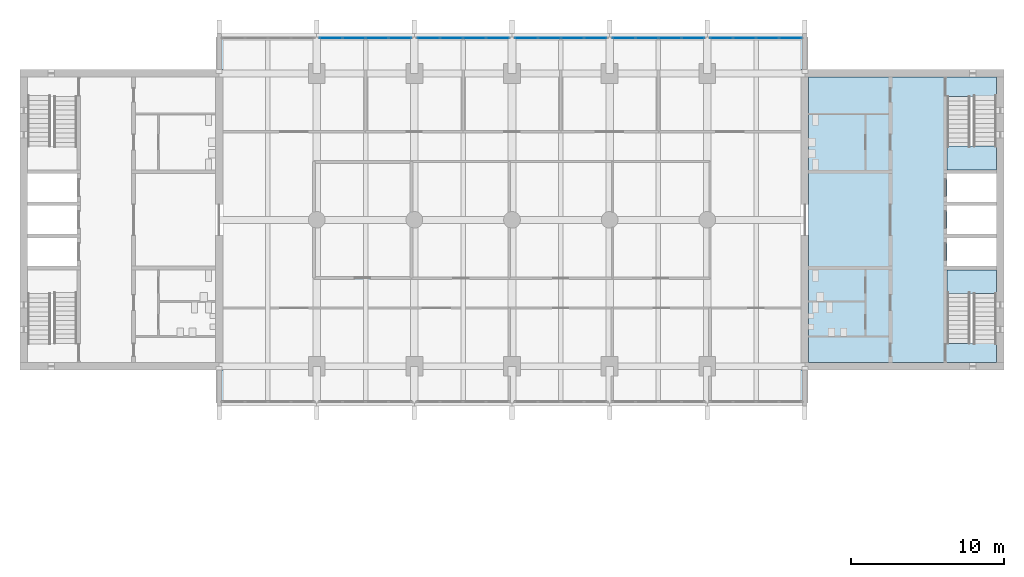
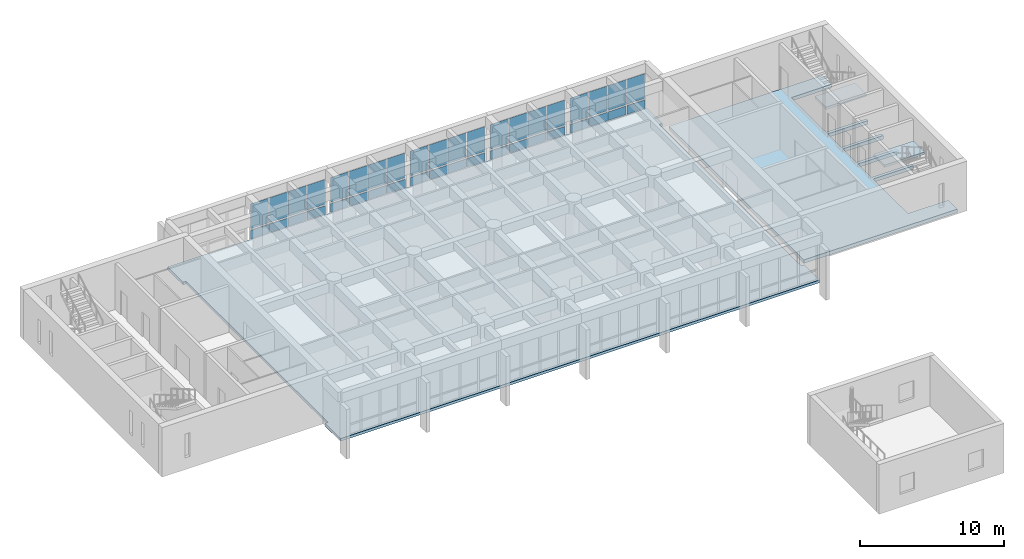
# One storey, part 8 of 18: 40 plates, 4 slabs, 7 elements without a shape of their own.
"""IFC4 building model written with IfcOpenShell, lengths in metres."""

from ifc_helpers import new_model, si_unit, direction, frame, origin, origin_2d, place, context, subcontext, project, spatial, polyline, rectangle, outline, extrude, material, layer, layer_set, type_object, element, aggregate, save


model = new_model("IFC4")

# Units and contexts
model_context = context("Model", 3, precision=1e-05, world=origin(), true_north=direction((0.0, 1.0)))
body_context = subcontext(model_context, "Body", "Model", "MODEL_VIEW")
ifc_project = project(units=[si_unit("LENGTHUNIT", "METRE"), si_unit("AREAUNIT", "SQUARE_METRE"), si_unit("VOLUMEUNIT", "CUBIC_METRE"), si_unit("PLANEANGLEUNIT", "RADIAN"), si_unit("MASSUNIT", "GRAM", prefix="KILO")], contexts=[model_context])

# Site, building, storey
site_placement = place(None, origin())
site = spatial("IfcSite", under=ifc_project, at=site_placement, CompositionType="ELEMENT")
building_placement = place(site_placement, origin())
building = spatial("IfcBuilding", under=site, at=building_placement, Name="Fogon Plaza Fire Station and Headquarters Tower", CompositionType="ELEMENT")
storey_placement = place(building_placement, frame((0.0, 0.0, 12.89990234375)))
storey = spatial("IfcBuildingStorey", under=building, at=storey_placement, Name="L03", CompositionType="ELEMENT", Elevation=12.89990234375)

# Slabs
ifc_material_1 = material(Name="Concrete C40", Category="concrete")
ifc_layer_1 = layer(ifc_material_1, 0.300048828125)
ifc_layer_set_1 = layer_set([ifc_layer_1], Name="Concrete C40")
slab_type_1 = type_object("IfcSlabType", Name="Core Floor Slab RC 300", PredefinedType="FLOOR", material=ifc_layer_set_1)
slab_1_placement = place(storey_placement, frame((0.0, 0.0, -0.2998046875)))
element("IfcSlab", 1, at=slab_1_placement, inside=storey, type_object=slab_type_1, Name="Core B floor", PredefinedType="FLOOR", context=body_context, shape_type="SweptSolid", body=[
    extrude(outline(polyline([(76.550048828125, 35.110107421875), (73.324951171875, 35.110107421875), (73.324951171875, 39.925048828125), (76.550048828125, 39.925048828125), (76.550048828125, 40.175048828125), (73.324951171875, 40.175048828125), (73.324951171875, 42.02490234375), (76.550048828125, 42.02490234375), (76.550048828125, 42.27490234375), (73.324951171875, 42.27490234375), (73.324951171875, 44.125), (76.550048828125, 44.125), (76.550048828125, 44.375), (73.324951171875, 44.375), (73.324951171875, 46.22509765625), (76.550048828125, 46.22509765625), (76.550048828125, 46.47509765625), (73.324951171875, 46.47509765625), (73.324951171875, 51.2900390625), (76.550048828125, 51.2900390625), (76.550048828125, 52.550048828125), (64.25, 52.550048828125), (64.25, 33.85009765625), (76.550048828125, 33.85009765625), (76.550048828125, 35.110107421875)])), origin(), (0.0, 0.0, 1.0), 0.2998046875),
])
ifc_material_2 = material(Name="Concrete C40", Category="concrete")
ifc_layer_2 = layer(ifc_material_2, 0.219970703125)
ifc_layer_set_2 = layer_set([ifc_layer_2], Name="Concrete C40")
slab_type_2 = type_object("IfcSlabType", Name="Floor slab 220 S22", PredefinedType="FLOOR", material=ifc_layer_set_2)
slab_2_placement = place(storey_placement, frame((0.0, 0.0, -0.219970703125)))
element("IfcSlab", 2, at=slab_2_placement, inside=storey, type_object=slab_type_2, Name="slab-L03-bar", PredefinedType="FLOOR", context=body_context, shape_type="SweptSolid", body=[
    extrude(outline(polyline([(64.0, 31.199951171875), (25.60009765625, 31.199951171875), (25.60009765625, 33.35009765625), (25.85009765625, 33.35009765625), (25.85009765625, 53.050048828125), (25.60009765625, 53.050048828125), (25.60009765625, 55.199951171875), (64.0, 55.199951171875), (64.0, 53.050048828125), (63.75, 53.050048828125), (63.75, 33.35009765625), (64.0, 33.35009765625), (64.0, 31.199951171875)])), origin(), (0.0, 0.0, 1.0), 0.219970703125),
])

# Curtain wall, plates
ifc_material_3 = material(Name="Aluminium and glass", Category="aluminium")
ifc_layer_3 = layer(ifc_material_3, 0.14990234375)
ifc_layer_set_3 = layer_set([ifc_layer_3], Name="Aluminium and glass")
curtain_wall_type = type_object("IfcCurtainWallType", Name="Unitised Curtain Wall Run 6100x3180", PredefinedType="NOTDEFINED", material=ifc_layer_set_3)
curtain_wall_1_placement = place(storey_placement, origin())
curtain_wall_1 = element("IfcCurtainWall", 3, at=curtain_wall_1_placement, inside=storey, type_object=curtain_wall_type, Name="CW-6100x3180 N2 L03", PredefinedType="NOTDEFINED")
ifc_material_4 = material(Name="Insulated aluminium spandrel", Category="aluminium")
ifc_layer_4 = layer(ifc_material_4, 0.06005859375)
ifc_layer_set_4 = layer_set([ifc_layer_4], Name="Insulated aluminium spandrel")
plate_type_1 = type_object("IfcPlateType", Name="Insulated Spandrel Panel", PredefinedType="CURTAIN_PANEL", material=ifc_layer_set_4)
plate_1_placement = place(storey_placement, frame((32.93505859375, 55.1201171875, 0.1201171875), z_axis=(0.0, 0.0, 1.0), x_axis=(1.0, 0.0, 0.0)))
plate_1 = element("IfcPlate", 4, at=plate_1_placement, type_object=plate_type_1, Name="SP1 panel 1.1", PredefinedType="CURTAIN_PANEL", context=body_context, shape_type="SweptSolid", body=[
    extrude(rectangle(XDim=1.449951171875, YDim=0.06005859375, at=origin_2d()), origin(), (0.0, 0.0, 1.0), 0.719970703125),
])
plate_2_placement = place(storey_placement, frame((34.445068359375, 55.1201171875, 0.1201171875), z_axis=(0.0, 0.0, 1.0), x_axis=(1.0, 0.0, 0.0)))
plate_2 = element("IfcPlate", 5, at=plate_2_placement, type_object=plate_type_1, Name="SP1 panel 2.1", PredefinedType="CURTAIN_PANEL", context=body_context, shape_type="SweptSolid", body=[
    extrude(rectangle(XDim=1.449951171875, YDim=0.06005859375, at=origin_2d()), origin(), (0.0, 0.0, 1.0), 0.719970703125),
])
plate_3_placement = place(storey_placement, frame((35.955078125, 55.1201171875, 0.1201171875), z_axis=(0.0, 0.0, 1.0), x_axis=(1.0, 0.0, 0.0)))
plate_3 = element("IfcPlate", 6, at=plate_3_placement, type_object=plate_type_1, Name="SP1 panel 3.1", PredefinedType="CURTAIN_PANEL", context=body_context, shape_type="SweptSolid", body=[
    extrude(rectangle(XDim=1.449951171875, YDim=0.06005859375, at=origin_2d()), origin(), (0.0, 0.0, 1.0), 0.719970703125),
])
plate_4_placement = place(storey_placement, frame((37.465087890625, 55.1201171875, 0.1201171875), z_axis=(0.0, 0.0, 1.0), x_axis=(1.0, 0.0, 0.0)))
plate_4 = element("IfcPlate", 7, at=plate_4_placement, type_object=plate_type_1, Name="SP1 panel 4.1", PredefinedType="CURTAIN_PANEL", context=body_context, shape_type="SweptSolid", body=[
    extrude(rectangle(XDim=1.449951171875, YDim=0.06005859375, at=origin_2d()), origin(), (0.0, 0.0, 1.0), 0.719970703125),
])

curtain_wall_2_placement = place(storey_placement, origin())
curtain_wall_2 = element("IfcCurtainWall", 8, at=curtain_wall_2_placement, inside=storey, type_object=curtain_wall_type, Name="CW-6100x3180 N3 L03", PredefinedType="NOTDEFINED")
plate_5_placement = place(storey_placement, frame((39.3349609375, 55.1201171875, 0.1201171875), z_axis=(0.0, 0.0, 1.0), x_axis=(1.0, 0.0, 0.0)))
plate_5 = element("IfcPlate", 9, at=plate_5_placement, type_object=plate_type_1, Name="SP1 panel 1.1", PredefinedType="CURTAIN_PANEL", context=body_context, shape_type="SweptSolid", body=[
    extrude(rectangle(XDim=1.449951171875, YDim=0.06005859375, at=origin_2d()), origin(), (0.0, 0.0, 1.0), 0.719970703125),
])
plate_6_placement = place(storey_placement, frame((40.844970703125, 55.1201171875, 0.1201171875), z_axis=(0.0, 0.0, 1.0), x_axis=(1.0, 0.0, 0.0)))
plate_6 = element("IfcPlate", 10, at=plate_6_placement, type_object=plate_type_1, Name="SP1 panel 2.1", PredefinedType="CURTAIN_PANEL", context=body_context, shape_type="SweptSolid", body=[
    extrude(rectangle(XDim=1.449951171875, YDim=0.06005859375, at=origin_2d()), origin(), (0.0, 0.0, 1.0), 0.719970703125),
])
plate_7_placement = place(storey_placement, frame((42.35498046875, 55.1201171875, 0.1201171875), z_axis=(0.0, 0.0, 1.0), x_axis=(1.0, 0.0, 0.0)))
plate_7 = element("IfcPlate", 11, at=plate_7_placement, type_object=plate_type_1, Name="SP1 panel 3.1", PredefinedType="CURTAIN_PANEL", context=body_context, shape_type="SweptSolid", body=[
    extrude(rectangle(XDim=1.449951171875, YDim=0.06005859375, at=origin_2d()), origin(), (0.0, 0.0, 1.0), 0.719970703125),
])
plate_8_placement = place(storey_placement, frame((43.864990234375, 55.1201171875, 0.1201171875), z_axis=(0.0, 0.0, 1.0), x_axis=(1.0, 0.0, 0.0)))
plate_8 = element("IfcPlate", 12, at=plate_8_placement, type_object=plate_type_1, Name="SP1 panel 4.1", PredefinedType="CURTAIN_PANEL", context=body_context, shape_type="SweptSolid", body=[
    extrude(rectangle(XDim=1.449951171875, YDim=0.06005859375, at=origin_2d()), origin(), (0.0, 0.0, 1.0), 0.719970703125),
])

curtain_wall_3_placement = place(storey_placement, origin())
curtain_wall_3 = element("IfcCurtainWall", 13, at=curtain_wall_3_placement, inside=storey, type_object=curtain_wall_type, Name="CW-6100x3180 N4 L03", PredefinedType="NOTDEFINED")
plate_9_placement = place(storey_placement, frame((45.735107421875, 55.1201171875, 0.1201171875), z_axis=(0.0, 0.0, 1.0), x_axis=(1.0, 0.0, 0.0)))
plate_9 = element("IfcPlate", 14, at=plate_9_placement, type_object=plate_type_1, Name="SP1 panel 1.1", PredefinedType="CURTAIN_PANEL", context=body_context, shape_type="SweptSolid", body=[
    extrude(rectangle(XDim=1.449951171875, YDim=0.06005859375, at=origin_2d()), origin(), (0.0, 0.0, 1.0), 0.719970703125),
])
plate_10_placement = place(storey_placement, frame((47.2451171875, 55.1201171875, 0.1201171875), z_axis=(0.0, 0.0, 1.0), x_axis=(1.0, 0.0, 0.0)))
plate_10 = element("IfcPlate", 15, at=plate_10_placement, type_object=plate_type_1, Name="SP1 panel 2.1", PredefinedType="CURTAIN_PANEL", context=body_context, shape_type="SweptSolid", body=[
    extrude(rectangle(XDim=1.449951171875, YDim=0.06005859375, at=origin_2d()), origin(), (0.0, 0.0, 1.0), 0.719970703125),
])
plate_11_placement = place(storey_placement, frame((48.7548828125, 55.1201171875, 0.1201171875), z_axis=(0.0, 0.0, 1.0), x_axis=(1.0, 0.0, 0.0)))
plate_11 = element("IfcPlate", 16, at=plate_11_placement, type_object=plate_type_1, Name="SP1 panel 3.1", PredefinedType="CURTAIN_PANEL", context=body_context, shape_type="SweptSolid", body=[
    extrude(rectangle(XDim=1.449951171875, YDim=0.06005859375, at=origin_2d()), origin(), (0.0, 0.0, 1.0), 0.719970703125),
])
plate_12_placement = place(storey_placement, frame((50.264892578125, 55.1201171875, 0.1201171875), z_axis=(0.0, 0.0, 1.0), x_axis=(1.0, 0.0, 0.0)))
plate_12 = element("IfcPlate", 17, at=plate_12_placement, type_object=plate_type_1, Name="SP1 panel 4.1", PredefinedType="CURTAIN_PANEL", context=body_context, shape_type="SweptSolid", body=[
    extrude(rectangle(XDim=1.449951171875, YDim=0.06005859375, at=origin_2d()), origin(), (0.0, 0.0, 1.0), 0.719970703125),
])

curtain_wall_4_placement = place(storey_placement, origin())
curtain_wall_4 = element("IfcCurtainWall", 18, at=curtain_wall_4_placement, inside=storey, type_object=curtain_wall_type, Name="CW-6100x3180 N5 L03", PredefinedType="NOTDEFINED")
plate_13_placement = place(storey_placement, frame((52.135009765625, 55.1201171875, 0.1201171875), z_axis=(0.0, 0.0, 1.0), x_axis=(1.0, 0.0, 0.0)))
plate_13 = element("IfcPlate", 19, at=plate_13_placement, type_object=plate_type_1, Name="SP1 panel 1.1", PredefinedType="CURTAIN_PANEL", context=body_context, shape_type="SweptSolid", body=[
    extrude(rectangle(XDim=1.449951171875, YDim=0.06005859375, at=origin_2d()), origin(), (0.0, 0.0, 1.0), 0.719970703125),
])
plate_14_placement = place(storey_placement, frame((53.64501953125, 55.1201171875, 0.1201171875), z_axis=(0.0, 0.0, 1.0), x_axis=(1.0, 0.0, 0.0)))
plate_14 = element("IfcPlate", 20, at=plate_14_placement, type_object=plate_type_1, Name="SP1 panel 2.1", PredefinedType="CURTAIN_PANEL", context=body_context, shape_type="SweptSolid", body=[
    extrude(rectangle(XDim=1.449951171875, YDim=0.06005859375, at=origin_2d()), origin(), (0.0, 0.0, 1.0), 0.719970703125),
])
plate_15_placement = place(storey_placement, frame((55.155029296875, 55.1201171875, 0.1201171875), z_axis=(0.0, 0.0, 1.0), x_axis=(1.0, 0.0, 0.0)))
plate_15 = element("IfcPlate", 21, at=plate_15_placement, type_object=plate_type_1, Name="SP1 panel 3.1", PredefinedType="CURTAIN_PANEL", context=body_context, shape_type="SweptSolid", body=[
    extrude(rectangle(XDim=1.449951171875, YDim=0.06005859375, at=origin_2d()), origin(), (0.0, 0.0, 1.0), 0.719970703125),
])
plate_16_placement = place(storey_placement, frame((56.6650390625, 55.1201171875, 0.1201171875), z_axis=(0.0, 0.0, 1.0), x_axis=(1.0, 0.0, 0.0)))
plate_16 = element("IfcPlate", 22, at=plate_16_placement, type_object=plate_type_1, Name="SP1 panel 4.1", PredefinedType="CURTAIN_PANEL", context=body_context, shape_type="SweptSolid", body=[
    extrude(rectangle(XDim=1.449951171875, YDim=0.06005859375, at=origin_2d()), origin(), (0.0, 0.0, 1.0), 0.719970703125),
])

curtain_wall_5_placement = place(storey_placement, origin())
curtain_wall_5 = element("IfcCurtainWall", 23, at=curtain_wall_5_placement, inside=storey, type_object=curtain_wall_type, Name="CW-6100x3180 N6 L03", PredefinedType="NOTDEFINED")
plate_17_placement = place(storey_placement, frame((58.534912109375, 55.1201171875, 0.1201171875), z_axis=(0.0, 0.0, 1.0), x_axis=(1.0, 0.0, 0.0)))
plate_17 = element("IfcPlate", 24, at=plate_17_placement, type_object=plate_type_1, Name="SP1 panel 1.1", PredefinedType="CURTAIN_PANEL", context=body_context, shape_type="SweptSolid", body=[
    extrude(rectangle(XDim=1.449951171875, YDim=0.06005859375, at=origin_2d()), origin(), (0.0, 0.0, 1.0), 0.719970703125),
])
plate_18_placement = place(storey_placement, frame((60.044921875, 55.1201171875, 0.1201171875), z_axis=(0.0, 0.0, 1.0), x_axis=(1.0, 0.0, 0.0)))
plate_18 = element("IfcPlate", 25, at=plate_18_placement, type_object=plate_type_1, Name="SP1 panel 2.1", PredefinedType="CURTAIN_PANEL", context=body_context, shape_type="SweptSolid", body=[
    extrude(rectangle(XDim=1.449951171875, YDim=0.06005859375, at=origin_2d()), origin(), (0.0, 0.0, 1.0), 0.719970703125),
])
plate_19_placement = place(storey_placement, frame((61.554931640625, 55.1201171875, 0.1201171875), z_axis=(0.0, 0.0, 1.0), x_axis=(1.0, 0.0, 0.0)))
plate_19 = element("IfcPlate", 26, at=plate_19_placement, type_object=plate_type_1, Name="SP1 panel 3.1", PredefinedType="CURTAIN_PANEL", context=body_context, shape_type="SweptSolid", body=[
    extrude(rectangle(XDim=1.449951171875, YDim=0.06005859375, at=origin_2d()), origin(), (0.0, 0.0, 1.0), 0.719970703125),
])
plate_20_placement = place(storey_placement, frame((63.06494140625, 55.1201171875, 0.1201171875), z_axis=(0.0, 0.0, 1.0), x_axis=(1.0, 0.0, 0.0)))
plate_20 = element("IfcPlate", 27, at=plate_20_placement, type_object=plate_type_1, Name="SP1 panel 4.1", PredefinedType="CURTAIN_PANEL", context=body_context, shape_type="SweptSolid", body=[
    extrude(rectangle(XDim=1.449951171875, YDim=0.06005859375, at=origin_2d()), origin(), (0.0, 0.0, 1.0), 0.719970703125),
])

# Stair, slab
ifc_material_5 = material(Name="Concrete C40", Category="concrete")
stair_type = type_object("IfcStairType", Name="Exit Stair Two Flights", PredefinedType="TWO_STRAIGHT_RUN_STAIR", material=ifc_material_5)
stair_1_placement = place(storey_placement, origin())
stair_1 = element("IfcStair", 28, at=stair_1_placement, inside=storey, type_object=stair_type, Name="Stair ST3", PredefinedType="TWO_STRAIGHT_RUN_STAIR")
ifc_material_6 = material(Name="Concrete C40", Category="concrete")
ifc_layer_5 = layer(ifc_material_6, 0.300048828125)
ifc_layer_set_5 = layer_set([ifc_layer_5], Name="Concrete C40")
slab_type_3 = type_object("IfcSlabType", Name="Stair Landing RC 300", PredefinedType="LANDING", material=ifc_layer_set_5)
slab_3_placement = place(storey_placement, frame((0.0, 0.0, 1.900146484375)))
slab_3 = element("IfcSlab", 29, at=slab_3_placement, type_object=slab_type_3, Name="ST3 landing L05", PredefinedType="LANDING", context=body_context, shape_type="SweptSolid", body=[
    extrude(outline(polyline([(73.324951171875, 38.375), (76.550048828125, 38.375), (76.550048828125, 39.925048828125), (73.324951171875, 39.925048828125), (73.324951171875, 38.375)])), origin(), (0.0, 0.0, 1.0), 0.199951171875),
])
aggregate(stair_1, [slab_3])

stair_2_placement = place(storey_placement, origin())
stair_2 = element("IfcStair", 30, at=stair_2_placement, inside=storey, type_object=stair_type, Name="Stair ST4", PredefinedType="TWO_STRAIGHT_RUN_STAIR")
slab_4_placement = place(storey_placement, frame((0.0, 0.0, 1.900146484375)))
slab_4 = element("IfcSlab", 31, at=slab_4_placement, type_object=slab_type_3, Name="ST4 landing L05", PredefinedType="LANDING", context=body_context, shape_type="SweptSolid", body=[
    extrude(outline(polyline([(73.324951171875, 46.47509765625), (76.550048828125, 46.47509765625), (76.550048828125, 48.02490234375), (73.324951171875, 48.02490234375), (73.324951171875, 46.47509765625)])), origin(), (0.0, 0.0, 1.0), 0.199951171875),
])
aggregate(stair_2, [slab_4])

# Plate
ifc_material_7 = material(Name="Low-e double glazing", Category="glass")
ifc_layer_6 = layer(ifc_material_7, 0.028076171875)
ifc_layer_set_6 = layer_set([ifc_layer_6], Name="Low-e double glazing")
plate_type_2 = type_object("IfcPlateType", Name="Vision Glass Panel 1450x2100", PredefinedType="CURTAIN_PANEL", material=ifc_layer_set_6)
plate_21_placement = place(storey_placement, frame((32.93505859375, 55.1201171875, 0.9599609375), z_axis=(0.0, 0.0, 1.0), x_axis=(1.0, 0.0, 0.0)))
plate_21 = element("IfcPlate", 32, at=plate_21_placement, type_object=plate_type_2, Name="VG-1450x2100 panel 1.2", PredefinedType="CURTAIN_PANEL", context=body_context, shape_type="SweptSolid", body=[
    extrude(rectangle(XDim=1.449951171875, YDim=0.028076171875, at=origin_2d()), origin(), (0.0, 0.0, 1.0), 2.10009765625),
])

plate_22_placement = place(storey_placement, frame((34.445068359375, 55.1201171875, 0.9599609375), z_axis=(0.0, 0.0, 1.0), x_axis=(1.0, 0.0, 0.0)))
plate_22 = element("IfcPlate", 33, at=plate_22_placement, type_object=plate_type_2, Name="VG-1450x2100 panel 2.2", PredefinedType="CURTAIN_PANEL", context=body_context, shape_type="SweptSolid", body=[
    extrude(rectangle(XDim=1.449951171875, YDim=0.028076171875, at=origin_2d()), origin(), (0.0, 0.0, 1.0), 2.10009765625),
])

plate_23_placement = place(storey_placement, frame((35.955078125, 55.1201171875, 0.9599609375), z_axis=(0.0, 0.0, 1.0), x_axis=(1.0, 0.0, 0.0)))
plate_23 = element("IfcPlate", 34, at=plate_23_placement, type_object=plate_type_2, Name="VG-1450x2100 panel 3.2", PredefinedType="CURTAIN_PANEL", context=body_context, shape_type="SweptSolid", body=[
    extrude(rectangle(XDim=1.449951171875, YDim=0.028076171875, at=origin_2d()), origin(), (0.0, 0.0, 1.0), 2.10009765625),
])

plate_24_placement = place(storey_placement, frame((37.465087890625, 55.1201171875, 0.9599609375), z_axis=(0.0, 0.0, 1.0), x_axis=(1.0, 0.0, 0.0)))
plate_24 = element("IfcPlate", 35, at=plate_24_placement, type_object=plate_type_2, Name="VG-1450x2100 panel 4.2", PredefinedType="CURTAIN_PANEL", context=body_context, shape_type="SweptSolid", body=[
    extrude(rectangle(XDim=1.449951171875, YDim=0.028076171875, at=origin_2d()), origin(), (0.0, 0.0, 1.0), 2.10009765625),
])

aggregate(curtain_wall_1, [plate_1, plate_21, plate_2, plate_22, plate_3, plate_23, plate_4, plate_24])

plate_25_placement = place(storey_placement, frame((39.3349609375, 55.1201171875, 0.9599609375), z_axis=(0.0, 0.0, 1.0), x_axis=(1.0, 0.0, 0.0)))
plate_25 = element("IfcPlate", 36, at=plate_25_placement, type_object=plate_type_2, Name="VG-1450x2100 panel 1.2", PredefinedType="CURTAIN_PANEL", context=body_context, shape_type="SweptSolid", body=[
    extrude(rectangle(XDim=1.449951171875, YDim=0.028076171875, at=origin_2d()), origin(), (0.0, 0.0, 1.0), 2.10009765625),
])

plate_26_placement = place(storey_placement, frame((40.844970703125, 55.1201171875, 0.9599609375), z_axis=(0.0, 0.0, 1.0), x_axis=(1.0, 0.0, 0.0)))
plate_26 = element("IfcPlate", 37, at=plate_26_placement, type_object=plate_type_2, Name="VG-1450x2100 panel 2.2", PredefinedType="CURTAIN_PANEL", context=body_context, shape_type="SweptSolid", body=[
    extrude(rectangle(XDim=1.449951171875, YDim=0.028076171875, at=origin_2d()), origin(), (0.0, 0.0, 1.0), 2.10009765625),
])

plate_27_placement = place(storey_placement, frame((42.35498046875, 55.1201171875, 0.9599609375), z_axis=(0.0, 0.0, 1.0), x_axis=(1.0, 0.0, 0.0)))
plate_27 = element("IfcPlate", 38, at=plate_27_placement, type_object=plate_type_2, Name="VG-1450x2100 panel 3.2", PredefinedType="CURTAIN_PANEL", context=body_context, shape_type="SweptSolid", body=[
    extrude(rectangle(XDim=1.449951171875, YDim=0.028076171875, at=origin_2d()), origin(), (0.0, 0.0, 1.0), 2.10009765625),
])

plate_28_placement = place(storey_placement, frame((43.864990234375, 55.1201171875, 0.9599609375), z_axis=(0.0, 0.0, 1.0), x_axis=(1.0, 0.0, 0.0)))
plate_28 = element("IfcPlate", 39, at=plate_28_placement, type_object=plate_type_2, Name="VG-1450x2100 panel 4.2", PredefinedType="CURTAIN_PANEL", context=body_context, shape_type="SweptSolid", body=[
    extrude(rectangle(XDim=1.449951171875, YDim=0.028076171875, at=origin_2d()), origin(), (0.0, 0.0, 1.0), 2.10009765625),
])

aggregate(curtain_wall_2, [plate_5, plate_25, plate_6, plate_26, plate_7, plate_27, plate_8, plate_28])

plate_29_placement = place(storey_placement, frame((45.735107421875, 55.1201171875, 0.9599609375), z_axis=(0.0, 0.0, 1.0), x_axis=(1.0, 0.0, 0.0)))
plate_29 = element("IfcPlate", 40, at=plate_29_placement, type_object=plate_type_2, Name="VG-1450x2100 panel 1.2", PredefinedType="CURTAIN_PANEL", context=body_context, shape_type="SweptSolid", body=[
    extrude(rectangle(XDim=1.449951171875, YDim=0.028076171875, at=origin_2d()), origin(), (0.0, 0.0, 1.0), 2.10009765625),
])

plate_30_placement = place(storey_placement, frame((47.2451171875, 55.1201171875, 0.9599609375), z_axis=(0.0, 0.0, 1.0), x_axis=(1.0, 0.0, 0.0)))
plate_30 = element("IfcPlate", 41, at=plate_30_placement, type_object=plate_type_2, Name="VG-1450x2100 panel 2.2", PredefinedType="CURTAIN_PANEL", context=body_context, shape_type="SweptSolid", body=[
    extrude(rectangle(XDim=1.449951171875, YDim=0.028076171875, at=origin_2d()), origin(), (0.0, 0.0, 1.0), 2.10009765625),
])

plate_31_placement = place(storey_placement, frame((48.7548828125, 55.1201171875, 0.9599609375), z_axis=(0.0, 0.0, 1.0), x_axis=(1.0, 0.0, 0.0)))
plate_31 = element("IfcPlate", 42, at=plate_31_placement, type_object=plate_type_2, Name="VG-1450x2100 panel 3.2", PredefinedType="CURTAIN_PANEL", context=body_context, shape_type="SweptSolid", body=[
    extrude(rectangle(XDim=1.449951171875, YDim=0.028076171875, at=origin_2d()), origin(), (0.0, 0.0, 1.0), 2.10009765625),
])

plate_32_placement = place(storey_placement, frame((50.264892578125, 55.1201171875, 0.9599609375), z_axis=(0.0, 0.0, 1.0), x_axis=(1.0, 0.0, 0.0)))
plate_32 = element("IfcPlate", 43, at=plate_32_placement, type_object=plate_type_2, Name="VG-1450x2100 panel 4.2", PredefinedType="CURTAIN_PANEL", context=body_context, shape_type="SweptSolid", body=[
    extrude(rectangle(XDim=1.449951171875, YDim=0.028076171875, at=origin_2d()), origin(), (0.0, 0.0, 1.0), 2.10009765625),
])

aggregate(curtain_wall_3, [plate_9, plate_29, plate_10, plate_30, plate_11, plate_31, plate_12, plate_32])

plate_33_placement = place(storey_placement, frame((52.135009765625, 55.1201171875, 0.9599609375), z_axis=(0.0, 0.0, 1.0), x_axis=(1.0, 0.0, 0.0)))
plate_33 = element("IfcPlate", 44, at=plate_33_placement, type_object=plate_type_2, Name="VG-1450x2100 panel 1.2", PredefinedType="CURTAIN_PANEL", context=body_context, shape_type="SweptSolid", body=[
    extrude(rectangle(XDim=1.449951171875, YDim=0.028076171875, at=origin_2d()), origin(), (0.0, 0.0, 1.0), 2.10009765625),
])

plate_34_placement = place(storey_placement, frame((53.64501953125, 55.1201171875, 0.9599609375), z_axis=(0.0, 0.0, 1.0), x_axis=(1.0, 0.0, 0.0)))
plate_34 = element("IfcPlate", 45, at=plate_34_placement, type_object=plate_type_2, Name="VG-1450x2100 panel 2.2", PredefinedType="CURTAIN_PANEL", context=body_context, shape_type="SweptSolid", body=[
    extrude(rectangle(XDim=1.449951171875, YDim=0.028076171875, at=origin_2d()), origin(), (0.0, 0.0, 1.0), 2.10009765625),
])

plate_35_placement = place(storey_placement, frame((55.155029296875, 55.1201171875, 0.9599609375), z_axis=(0.0, 0.0, 1.0), x_axis=(1.0, 0.0, 0.0)))
plate_35 = element("IfcPlate", 46, at=plate_35_placement, type_object=plate_type_2, Name="VG-1450x2100 panel 3.2", PredefinedType="CURTAIN_PANEL", context=body_context, shape_type="SweptSolid", body=[
    extrude(rectangle(XDim=1.449951171875, YDim=0.028076171875, at=origin_2d()), origin(), (0.0, 0.0, 1.0), 2.10009765625),
])

plate_36_placement = place(storey_placement, frame((56.6650390625, 55.1201171875, 0.9599609375), z_axis=(0.0, 0.0, 1.0), x_axis=(1.0, 0.0, 0.0)))
plate_36 = element("IfcPlate", 47, at=plate_36_placement, type_object=plate_type_2, Name="VG-1450x2100 panel 4.2", PredefinedType="CURTAIN_PANEL", context=body_context, shape_type="SweptSolid", body=[
    extrude(rectangle(XDim=1.449951171875, YDim=0.028076171875, at=origin_2d()), origin(), (0.0, 0.0, 1.0), 2.10009765625),
])

aggregate(curtain_wall_4, [plate_13, plate_33, plate_14, plate_34, plate_15, plate_35, plate_16, plate_36])

plate_37_placement = place(storey_placement, frame((58.534912109375, 55.1201171875, 0.9599609375), z_axis=(0.0, 0.0, 1.0), x_axis=(1.0, 0.0, 0.0)))
plate_37 = element("IfcPlate", 48, at=plate_37_placement, type_object=plate_type_2, Name="VG-1450x2100 panel 1.2", PredefinedType="CURTAIN_PANEL", context=body_context, shape_type="SweptSolid", body=[
    extrude(rectangle(XDim=1.449951171875, YDim=0.028076171875, at=origin_2d()), origin(), (0.0, 0.0, 1.0), 2.10009765625),
])

plate_38_placement = place(storey_placement, frame((60.044921875, 55.1201171875, 0.9599609375), z_axis=(0.0, 0.0, 1.0), x_axis=(1.0, 0.0, 0.0)))
plate_38 = element("IfcPlate", 49, at=plate_38_placement, type_object=plate_type_2, Name="VG-1450x2100 panel 2.2", PredefinedType="CURTAIN_PANEL", context=body_context, shape_type="SweptSolid", body=[
    extrude(rectangle(XDim=1.449951171875, YDim=0.028076171875, at=origin_2d()), origin(), (0.0, 0.0, 1.0), 2.10009765625),
])

plate_39_placement = place(storey_placement, frame((61.554931640625, 55.1201171875, 0.9599609375), z_axis=(0.0, 0.0, 1.0), x_axis=(1.0, 0.0, 0.0)))
plate_39 = element("IfcPlate", 50, at=plate_39_placement, type_object=plate_type_2, Name="VG-1450x2100 panel 3.2", PredefinedType="CURTAIN_PANEL", context=body_context, shape_type="SweptSolid", body=[
    extrude(rectangle(XDim=1.449951171875, YDim=0.028076171875, at=origin_2d()), origin(), (0.0, 0.0, 1.0), 2.10009765625),
])

plate_40_placement = place(storey_placement, frame((63.06494140625, 55.1201171875, 0.9599609375), z_axis=(0.0, 0.0, 1.0), x_axis=(1.0, 0.0, 0.0)))
plate_40 = element("IfcPlate", 51, at=plate_40_placement, type_object=plate_type_2, Name="VG-1450x2100 panel 4.2", PredefinedType="CURTAIN_PANEL", context=body_context, shape_type="SweptSolid", body=[
    extrude(rectangle(XDim=1.449951171875, YDim=0.028076171875, at=origin_2d()), origin(), (0.0, 0.0, 1.0), 2.10009765625),
])

aggregate(curtain_wall_5, [plate_17, plate_37, plate_18, plate_38, plate_19, plate_39, plate_20, plate_40])

save(model, "model.ifc")
